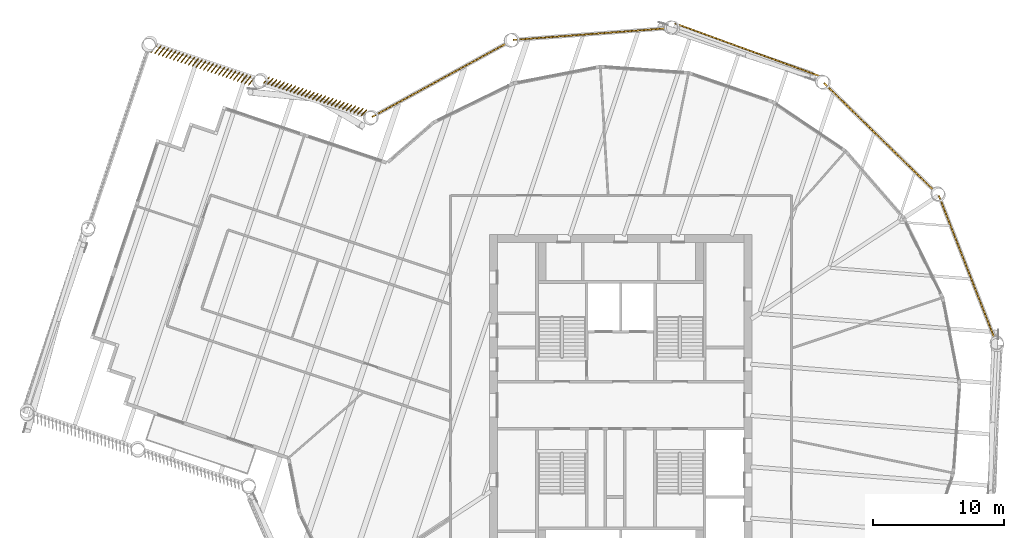
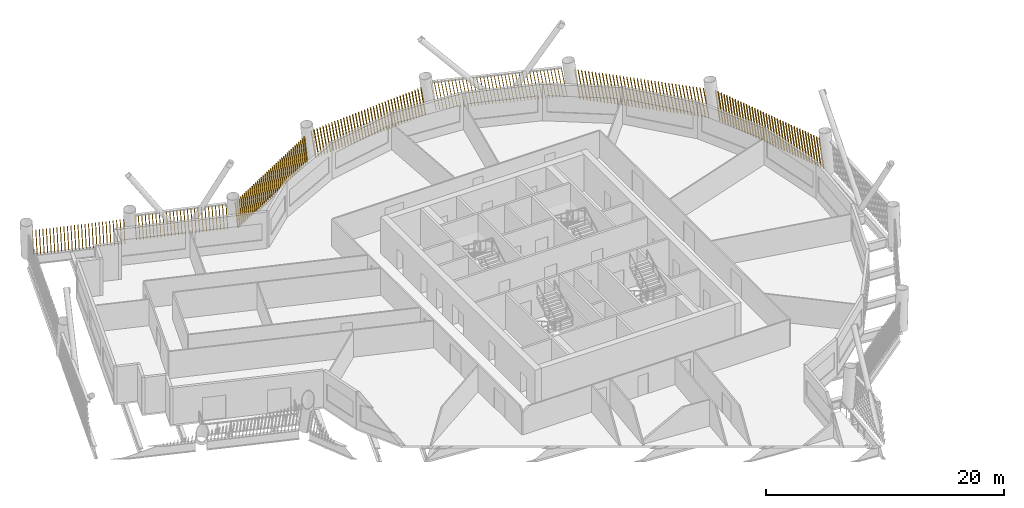
# One storey, part 20 of 21: 7 shading devices.
"""IFC4 building model written with IfcOpenShell, lengths in metres."""

import ifcopenshell
import ifcopenshell.guid

model = None  # the IFC model being written
_history = None  # IfcOwnerHistory: only IFC2X3 demands one
_inside = {}  # id of a spatial element -> (the spatial element, [elements in it])
_under = {}  # id of a project, library or spatial element -> (it, [spatial elements below it])
_declared = {}  # id of a project -> (the project, [libraries it declares])
_typed = {}  # id of a type object -> (the type object, [elements of that type])
_made_of = {}  # id of a material, layer set ... -> (it, [elements and type objects made of it])


def new_model(schema):
    """Start an empty IFC model of exactly this schema.

    Asked for "IFC4X3", IfcOpenShell would pick the latest addendum, in which some entities
    have other attributes; the version numbers below select the first issue.
    IFC2X3 requires an IfcOwnerHistory on every rooted entity: one is made here for all.
    """
    global model, _history
    if schema == "IFC4X3":
        model = ifcopenshell.file(schema_version=(4, 3, 0, 0))
    else:
        model = ifcopenshell.file(schema=schema)
    _inside.clear()
    _under.clear()
    _declared.clear()
    _typed.clear()
    _made_of.clear()
    _history = None
    if model.schema == "IFC2X3":
        org = make("IfcOrganization", Name="unknown")
        user = make(
            "IfcPersonAndOrganization",
            ThePerson=make("IfcPerson", FamilyName="unknown"),
            TheOrganization=org,
        )
        app = make(
            "IfcApplication",
            ApplicationDeveloper=org,
            Version="unknown",
            ApplicationFullName="unknown",
            ApplicationIdentifier="unknown",
        )
        _history = make(
            "IfcOwnerHistory",
            OwningUser=user,
            OwningApplication=app,
            ChangeAction="ADDED",
            CreationDate=0,
        )
    return model


def make(cls, **values):
    """One entity of the class cls with the attributes given. An attribute that is None is left unset."""
    return model.create_entity(
        cls, **{name: value for name, value in values.items() if value is not None}
    )


def rooted(cls, **values):
    """An entity with a GlobalId (a new one), such as an element, a storey or a relation."""
    return make(cls, GlobalId=ifcopenshell.guid.new(), OwnerHistory=_history, **values)


def si_unit(unit_type, name, prefix=None):
    """IfcSIUnit, for example si_unit("LENGTHUNIT", "METRE", prefix="MILLI")."""
    return make("IfcSIUnit", UnitType=unit_type, Prefix=prefix, Name=name)


def assignment(units):
    """IfcUnitAssignment: the units of a project."""
    return None if units is None else make("IfcUnitAssignment", Units=units)


def point(xyz):
    """IfcCartesianPoint."""
    return None if xyz is None else make("IfcCartesianPoint", Coordinates=xyz)


def direction(xyz):
    """IfcDirection."""
    return None if xyz is None else make("IfcDirection", DirectionRatios=xyz)


def frame(location, z_axis=None, x_axis=None):
    """IfcAxis2Placement3D, a coordinate frame: its origin and axes. An axis left out is left unset."""
    return make(
        "IfcAxis2Placement3D",
        Location=point(location),
        Axis=direction(z_axis),
        RefDirection=direction(x_axis),
    )


def frame_2d(location, x_axis=None):
    """IfcAxis2Placement2D, a coordinate frame in the plane: its origin and x axis."""
    return make(
        "IfcAxis2Placement2D", Location=point(location), RefDirection=direction(x_axis)
    )


def origin():
    """The frame at (0, 0, 0) with its axes left unset."""
    return frame((0.0, 0.0, 0.0))


def place(relative_to, where):
    """IfcLocalPlacement: puts the frame where relative to a parent placement (None: the world)."""
    return make(
        "IfcLocalPlacement", PlacementRelTo=relative_to, RelativePlacement=where
    )


def context(
    kind, dimensions, precision=None, world=None, true_north=None, identifier=None
):
    """IfcGeometricRepresentationContext, for example the 3D "Model" context."""
    return make(
        "IfcGeometricRepresentationContext",
        ContextIdentifier=identifier,
        ContextType=kind,
        CoordinateSpaceDimension=dimensions,
        Precision=precision,
        WorldCoordinateSystem=world,
        TrueNorth=true_north,
    )


def subcontext(parent, identifier, kind, view, scale=None):
    """IfcGeometricRepresentationSubContext, for example "Body" below "Model"."""
    return make(
        "IfcGeometricRepresentationSubContext",
        ContextIdentifier=identifier,
        ContextType=kind,
        ParentContext=parent,
        TargetScale=scale,
        TargetView=view,
    )


def project(units=None, contexts=None):
    """IfcProject with its units and contexts."""
    return rooted(
        "IfcProject",
        Name="project",
        RepresentationContexts=contexts,
        UnitsInContext=assignment(units),
    )


def spatial(cls, under=None, at=None, **own):
    """A site, building, storey or space (cls), placed at a placement, below another one or the project."""
    s = rooted(cls, ObjectPlacement=at, **own)
    if under is not None:
        _under.setdefault(under.id(), (under, []))[1].append(s)
    return s


def profile(cls, at=None, kind="AREA", **sizes):
    """A parametric profile (cls). Its sizes go by their IFC names, for example OverallWidth=200.0."""
    return make(cls, ProfileType=kind, Position=at, **sizes)


def rectangle(**sizes):
    """IfcRectangleProfileDef."""
    return profile("IfcRectangleProfileDef", **sizes)


def composite_profile(profiles, kind="AREA"):
    """IfcCompositeProfileDef: several profiles as one."""
    return make("IfcCompositeProfileDef", ProfileType=kind, Profiles=profiles)


def extrude(swept, where, along, depth):
    """IfcExtrudedAreaSolid: the profile swept, set in the frame where, extruded along a direction by depth."""
    return make(
        "IfcExtrudedAreaSolid",
        SweptArea=swept,
        Position=where,
        ExtrudedDirection=direction(along),
        Depth=depth,
    )


def shape(context_of_items, identifier, shape_type, items):
    """IfcShapeRepresentation: the items that make up one representation, for example the "Body"."""
    return make(
        "IfcShapeRepresentation",
        ContextOfItems=context_of_items,
        RepresentationIdentifier=identifier,
        RepresentationType=shape_type,
        Items=items,
    )


def material(Name=None, Category=None):
    """IfcMaterial."""
    return make("IfcMaterial", Name=Name, Category=Category)


def made_of(thing, what):
    """Note that an element or type object is made of a material, layer set ...; save() writes the relation."""
    if what is not None:
        _made_of.setdefault(what.id(), (what, []))[1].append(thing)
    return thing


def type_object(cls, material=None, **own):
    """A type object (cls), such as IfcWallType, which elements share."""
    return made_of(rooted(cls, **own), material)


def element(
    cls,
    number,
    at=None,
    inside=None,
    cuts=None,
    type_object=None,
    material=None,
    context=None,
    identifier="Body",
    shape_type=None,
    held_by="IfcProductDefinitionShape",
    body=None,
    shapes=None,
    **own,
):
    """One element of the class cls, such as IfcWall. Its Tag is "e" and its number.

    at: its placement. inside: the storey or other place that contains it. cuts: it is an
    opening in that element (IfcRelVoidsElement). A single representation is given by context,
    identifier, shape_type and body (its items); several are given by shapes. held_by: the class
    of the entity that holds the representations. save() writes the other relations.
    """
    e = rooted(cls, Tag="e%d" % number, ObjectPlacement=at, **own)
    if body is not None:
        shapes = [shape(context, identifier, shape_type, body)]
    if shapes is not None:
        e.Representation = make(held_by, Representations=shapes)
    if inside is not None:
        _inside.setdefault(inside.id(), (inside, []))[1].append(e)
    if cuts is not None:
        rooted(
            "IfcRelVoidsElement", RelatingBuildingElement=cuts, RelatedOpeningElement=e
        )
    if type_object is not None:
        _typed.setdefault(type_object.id(), (type_object, []))[1].append(e)
    return made_of(e, material)


def aggregate(whole, parts):
    """IfcRelAggregates: a whole, such as a stair, and the parts it consists of."""
    return rooted("IfcRelAggregates", RelatingObject=whole, RelatedObjects=parts)


def save(model, path):
    """Write the relations noted so far, then the file.

    IfcRelAggregates (storeys below a building ...), IfcRelContainedInSpatialStructure (elements
    in a storey), IfcRelDefinesByType, IfcRelAssociatesMaterial and IfcRelDeclares: one each for
    every whole, place, type object, material and project.
    """
    for whole, parts in _under.values():
        aggregate(whole, parts)
    for where, things in _inside.values():
        rooted(
            "IfcRelContainedInSpatialStructure",
            RelatedElements=things,
            RelatingStructure=where,
        )
    for kind, things in _typed.values():
        rooted("IfcRelDefinesByType", RelatedObjects=things, RelatingType=kind)
    for what, things in _made_of.values():
        rooted("IfcRelAssociatesMaterial", RelatedObjects=things, RelatingMaterial=what)
    for by, libraries in _declared.values():
        rooted("IfcRelDeclares", RelatingContext=by, RelatedDefinitions=libraries)
    model.write(path)


model = new_model("IFC4")

# Units and contexts
model_context = context("Model", 3, precision=1e-05, world=origin(), true_north=direction((0.0, 1.0)))
body_context = subcontext(model_context, "Body", "Model", "MODEL_VIEW")
ifc_project = project(units=[si_unit("LENGTHUNIT", "METRE"), si_unit("AREAUNIT", "SQUARE_METRE"), si_unit("VOLUMEUNIT", "CUBIC_METRE"), si_unit("PLANEANGLEUNIT", "RADIAN"), si_unit("MASSUNIT", "GRAM", prefix="KILO")], contexts=[model_context])

# Site, building, storey
site_placement = place(None, origin())
site = spatial("IfcSite", under=ifc_project, at=site_placement, CompositionType="ELEMENT")
building_placement = place(site_placement, origin())
building = spatial("IfcBuilding", under=site, at=building_placement, Name="Tarsis Ring Headquarters", CompositionType="ELEMENT")
storey_placement = place(building_placement, frame((0.0, 0.0, 208.199951171875)))
storey = spatial("IfcBuildingStorey", under=building, at=storey_placement, Name="L48", CompositionType="ELEMENT", Elevation=208.199951171875)

# Shading devices
ifc_material = material(Name="Terracotta baguette", Category="masonry")
shading_device_type = type_object("IfcShadingDeviceType", Name="Terracotta baguette screen", PredefinedType="USERDEFINED", material=ifc_material)
shading_device_1_placement = place(storey_placement, frame((28.498291015625, 5.078857421875, 0.0), z_axis=(0.0, 0.0, 1.0), x_axis=(-0.363407487792, 0.931633206728, 0.0)))
element("IfcShadingDevice", 1, at=shading_device_1_placement, inside=storey, type_object=shading_device_type, Name="Baguette screen L48-10", ObjectType="Terracotta baguette screen", PredefinedType="USERDEFINED", context=body_context, shape_type="SweptSolid", body=[
    extrude(composite_profile([rectangle(XDim=0.06005859375, YDim=0.1201171875, at=frame_2d((0.030029296875, 0.0))), rectangle(XDim=0.06005859375, YDim=0.1201171875, at=frame_2d((0.33251953125, 0.0))), rectangle(XDim=0.06005859375, YDim=0.1201171875, at=frame_2d((0.634765625, 0.0))), rectangle(XDim=0.06005859375, YDim=0.1201171875, at=frame_2d((0.937255859375, 0.0))), rectangle(XDim=0.06005859375, YDim=0.1201171875, at=frame_2d((1.239501953125, 0.0))), rectangle(XDim=0.06005859375, YDim=0.1201171875, at=frame_2d((1.5419921875, 0.0))), rectangle(XDim=0.06005859375, YDim=0.1201171875, at=frame_2d((1.844482421875, 0.0))), rectangle(XDim=0.06005859375, YDim=0.1201171875, at=frame_2d((2.146728515625, 0.0))), rectangle(XDim=0.06005859375, YDim=0.1201171875, at=frame_2d((2.44921875, 0.0))), rectangle(XDim=0.06005859375, YDim=0.1201171875, at=frame_2d((2.751708984375, 0.0))), rectangle(XDim=0.06005859375, YDim=0.1201171875, at=frame_2d((3.053955078125, 0.0))), rectangle(XDim=0.06005859375, YDim=0.1201171875, at=frame_2d((3.3564453125, 0.0))), rectangle(XDim=0.06005859375, YDim=0.1201171875, at=frame_2d((3.65869140625, 0.0))), rectangle(XDim=0.06005859375, YDim=0.1201171875, at=frame_2d((3.961181640625, 0.0))), rectangle(XDim=0.06005859375, YDim=0.1201171875, at=frame_2d((4.263671875, 0.0))), rectangle(XDim=0.06005859375, YDim=0.1201171875, at=frame_2d((4.56591796875, 0.0))), rectangle(XDim=0.06005859375, YDim=0.1201171875, at=frame_2d((4.868408203125, 0.0))), rectangle(XDim=0.06005859375, YDim=0.1201171875, at=frame_2d((5.1708984375, 0.0))), rectangle(XDim=0.06005859375, YDim=0.1201171875, at=frame_2d((5.47314453125, 0.0))), rectangle(XDim=0.06005859375, YDim=0.1201171875, at=frame_2d((5.775634765625, 0.0))), rectangle(XDim=0.06005859375, YDim=0.1201171875, at=frame_2d((6.077880859375, 0.0))), rectangle(XDim=0.06005859375, YDim=0.1201171875, at=frame_2d((6.38037109375, 0.0))), rectangle(XDim=0.06005859375, YDim=0.1201171875, at=frame_2d((6.682861328125, 0.0))), rectangle(XDim=0.06005859375, YDim=0.1201171875, at=frame_2d((6.985107421875, 0.0))), rectangle(XDim=0.06005859375, YDim=0.1201171875, at=frame_2d((7.28759765625, 0.0))), rectangle(XDim=0.06005859375, YDim=0.1201171875, at=frame_2d((7.590087890625, 0.0))), rectangle(XDim=0.06005859375, YDim=0.1201171875, at=frame_2d((7.892333984375, 0.0))), rectangle(XDim=0.06005859375, YDim=0.1201171875, at=frame_2d((8.19482421875, 0.0))), rectangle(XDim=0.06005859375, YDim=0.1201171875, at=frame_2d((8.4970703125, 0.0))), rectangle(XDim=0.06005859375, YDim=0.1201171875, at=frame_2d((8.799560546875, 0.0))), rectangle(XDim=0.06005859375, YDim=0.1201171875, at=frame_2d((9.10205078125, 0.0))), rectangle(XDim=0.06005859375, YDim=0.1201171875, at=frame_2d((9.404296875, 0.0))), rectangle(XDim=0.06005859375, YDim=0.1201171875, at=frame_2d((9.706787109375, 0.0))), rectangle(XDim=0.06005859375, YDim=0.1201171875, at=frame_2d((10.00927734375, 0.0))), rectangle(XDim=0.06005859375, YDim=0.1201171875, at=frame_2d((10.3115234375, 0.0))), rectangle(XDim=0.06005859375, YDim=0.1201171875, at=frame_2d((10.614013671875, 0.0))), rectangle(XDim=0.06005859375, YDim=0.1201171875, at=frame_2d((10.916259765625, 0.0))), rectangle(XDim=0.06005859375, YDim=0.1201171875, at=frame_2d((11.21875, 0.0)))]), origin(), (0.159217016479, 0.001331359414, 0.987242710353), 2.988037109375),
])
shading_device_2_placement = place(storey_placement, frame((23.87109375, 16.3740234375, 0.0), z_axis=(0.0, 0.0, 1.0), x_axis=(-0.71509495388, 0.699034183397, 0.0)))
element("IfcShadingDevice", 2, at=shading_device_2_placement, inside=storey, type_object=shading_device_type, Name="Baguette screen L48-11", ObjectType="Terracotta baguette screen", PredefinedType="USERDEFINED", context=body_context, shape_type="SweptSolid", body=[
    extrude(composite_profile([rectangle(XDim=0.06005859375, YDim=0.1201171875, at=frame_2d((0.030029296875, 0.0))), rectangle(XDim=0.06005859375, YDim=0.1201171875, at=frame_2d((0.33251953125, 0.0))), rectangle(XDim=0.06005859375, YDim=0.1201171875, at=frame_2d((0.634765625, 0.0))), rectangle(XDim=0.06005859375, YDim=0.1201171875, at=frame_2d((0.937255859375, 0.0))), rectangle(XDim=0.06005859375, YDim=0.1201171875, at=frame_2d((1.239501953125, 0.0))), rectangle(XDim=0.06005859375, YDim=0.1201171875, at=frame_2d((1.5419921875, 0.0))), rectangle(XDim=0.06005859375, YDim=0.1201171875, at=frame_2d((1.844482421875, 0.0))), rectangle(XDim=0.06005859375, YDim=0.1201171875, at=frame_2d((2.146728515625, 0.0))), rectangle(XDim=0.06005859375, YDim=0.1201171875, at=frame_2d((2.44921875, 0.0))), rectangle(XDim=0.06005859375, YDim=0.1201171875, at=frame_2d((2.751708984375, 0.0))), rectangle(XDim=0.06005859375, YDim=0.1201171875, at=frame_2d((3.053955078125, 0.0))), rectangle(XDim=0.06005859375, YDim=0.1201171875, at=frame_2d((3.3564453125, 0.0))), rectangle(XDim=0.06005859375, YDim=0.1201171875, at=frame_2d((3.65869140625, 0.0))), rectangle(XDim=0.06005859375, YDim=0.1201171875, at=frame_2d((3.961181640625, 0.0))), rectangle(XDim=0.06005859375, YDim=0.1201171875, at=frame_2d((4.263671875, 0.0))), rectangle(XDim=0.06005859375, YDim=0.1201171875, at=frame_2d((4.56591796875, 0.0))), rectangle(XDim=0.06005859375, YDim=0.1201171875, at=frame_2d((4.868408203125, 0.0))), rectangle(XDim=0.06005859375, YDim=0.1201171875, at=frame_2d((5.1708984375, 0.0))), rectangle(XDim=0.06005859375, YDim=0.1201171875, at=frame_2d((5.47314453125, 0.0))), rectangle(XDim=0.06005859375, YDim=0.1201171875, at=frame_2d((5.775634765625, 0.0))), rectangle(XDim=0.06005859375, YDim=0.1201171875, at=frame_2d((6.077880859375, 0.0))), rectangle(XDim=0.06005859375, YDim=0.1201171875, at=frame_2d((6.38037109375, 0.0))), rectangle(XDim=0.06005859375, YDim=0.1201171875, at=frame_2d((6.682861328125, 0.0))), rectangle(XDim=0.06005859375, YDim=0.1201171875, at=frame_2d((6.985107421875, 0.0))), rectangle(XDim=0.06005859375, YDim=0.1201171875, at=frame_2d((7.28759765625, 0.0))), rectangle(XDim=0.06005859375, YDim=0.1201171875, at=frame_2d((7.590087890625, 0.0))), rectangle(XDim=0.06005859375, YDim=0.1201171875, at=frame_2d((7.892333984375, 0.0))), rectangle(XDim=0.06005859375, YDim=0.1201171875, at=frame_2d((8.19482421875, 0.0))), rectangle(XDim=0.06005859375, YDim=0.1201171875, at=frame_2d((8.4970703125, 0.0))), rectangle(XDim=0.06005859375, YDim=0.1201171875, at=frame_2d((8.799560546875, 0.0))), rectangle(XDim=0.06005859375, YDim=0.1201171875, at=frame_2d((9.10205078125, 0.0))), rectangle(XDim=0.06005859375, YDim=0.1201171875, at=frame_2d((9.404296875, 0.0))), rectangle(XDim=0.06005859375, YDim=0.1201171875, at=frame_2d((9.706787109375, 0.0))), rectangle(XDim=0.06005859375, YDim=0.1201171875, at=frame_2d((10.00927734375, 0.0))), rectangle(XDim=0.06005859375, YDim=0.1201171875, at=frame_2d((10.3115234375, 0.0))), rectangle(XDim=0.06005859375, YDim=0.1201171875, at=frame_2d((10.614013671875, 0.0))), rectangle(XDim=0.06005859375, YDim=0.1201171875, at=frame_2d((10.916259765625, 0.0))), rectangle(XDim=0.06005859375, YDim=0.1201171875, at=frame_2d((11.21875, 0.0)))]), origin(), (0.159217052228, 0.0013355016, 0.987242698993), 2.988037109375),
])
shading_device_3_placement = place(storey_placement, frame((15.128173828125, 25.110107421875, 0.0), z_axis=(0.0, 0.0, 1.0), x_axis=(-0.939643198194, 0.342130393263, 0.0)))
element("IfcShadingDevice", 3, at=shading_device_3_placement, inside=storey, type_object=shading_device_type, Name="Baguette screen L48-12", ObjectType="Terracotta baguette screen", PredefinedType="USERDEFINED", context=body_context, shape_type="SweptSolid", body=[
    extrude(composite_profile([rectangle(XDim=0.06005859375, YDim=0.1201171875, at=frame_2d((0.030029296875, 0.0))), rectangle(XDim=0.06005859375, YDim=0.1201171875, at=frame_2d((0.33251953125, 0.0))), rectangle(XDim=0.06005859375, YDim=0.1201171875, at=frame_2d((0.634765625, 0.0))), rectangle(XDim=0.06005859375, YDim=0.1201171875, at=frame_2d((0.937255859375, 0.0))), rectangle(XDim=0.06005859375, YDim=0.1201171875, at=frame_2d((1.239501953125, 0.0))), rectangle(XDim=0.06005859375, YDim=0.1201171875, at=frame_2d((1.5419921875, 0.0))), rectangle(XDim=0.06005859375, YDim=0.1201171875, at=frame_2d((1.844482421875, 0.0))), rectangle(XDim=0.06005859375, YDim=0.1201171875, at=frame_2d((2.146728515625, 0.0))), rectangle(XDim=0.06005859375, YDim=0.1201171875, at=frame_2d((2.44921875, 0.0))), rectangle(XDim=0.06005859375, YDim=0.1201171875, at=frame_2d((2.751708984375, 0.0))), rectangle(XDim=0.06005859375, YDim=0.1201171875, at=frame_2d((3.053955078125, 0.0))), rectangle(XDim=0.06005859375, YDim=0.1201171875, at=frame_2d((3.3564453125, 0.0))), rectangle(XDim=0.06005859375, YDim=0.1201171875, at=frame_2d((3.65869140625, 0.0))), rectangle(XDim=0.06005859375, YDim=0.1201171875, at=frame_2d((3.961181640625, 0.0))), rectangle(XDim=0.06005859375, YDim=0.1201171875, at=frame_2d((4.263671875, 0.0))), rectangle(XDim=0.06005859375, YDim=0.1201171875, at=frame_2d((4.56591796875, 0.0))), rectangle(XDim=0.06005859375, YDim=0.1201171875, at=frame_2d((4.868408203125, 0.0))), rectangle(XDim=0.06005859375, YDim=0.1201171875, at=frame_2d((5.1708984375, 0.0))), rectangle(XDim=0.06005859375, YDim=0.1201171875, at=frame_2d((5.47314453125, 0.0))), rectangle(XDim=0.06005859375, YDim=0.1201171875, at=frame_2d((5.775634765625, 0.0))), rectangle(XDim=0.06005859375, YDim=0.1201171875, at=frame_2d((6.077880859375, 0.0))), rectangle(XDim=0.06005859375, YDim=0.1201171875, at=frame_2d((6.38037109375, 0.0))), rectangle(XDim=0.06005859375, YDim=0.1201171875, at=frame_2d((6.682861328125, 0.0))), rectangle(XDim=0.06005859375, YDim=0.1201171875, at=frame_2d((6.985107421875, 0.0))), rectangle(XDim=0.06005859375, YDim=0.1201171875, at=frame_2d((7.28759765625, 0.0))), rectangle(XDim=0.06005859375, YDim=0.1201171875, at=frame_2d((7.590087890625, 0.0))), rectangle(XDim=0.06005859375, YDim=0.1201171875, at=frame_2d((7.892333984375, 0.0))), rectangle(XDim=0.06005859375, YDim=0.1201171875, at=frame_2d((8.19482421875, 0.0))), rectangle(XDim=0.06005859375, YDim=0.1201171875, at=frame_2d((8.4970703125, 0.0))), rectangle(XDim=0.06005859375, YDim=0.1201171875, at=frame_2d((8.799560546875, 0.0))), rectangle(XDim=0.06005859375, YDim=0.1201171875, at=frame_2d((9.10205078125, 0.0))), rectangle(XDim=0.06005859375, YDim=0.1201171875, at=frame_2d((9.404296875, 0.0))), rectangle(XDim=0.06005859375, YDim=0.1201171875, at=frame_2d((9.706787109375, 0.0))), rectangle(XDim=0.06005859375, YDim=0.1201171875, at=frame_2d((10.00927734375, 0.0))), rectangle(XDim=0.06005859375, YDim=0.1201171875, at=frame_2d((10.3115234375, 0.0))), rectangle(XDim=0.06005859375, YDim=0.1201171875, at=frame_2d((10.614013671875, 0.0))), rectangle(XDim=0.06005859375, YDim=0.1201171875, at=frame_2d((10.916259765625, 0.0))), rectangle(XDim=0.06005859375, YDim=0.1201171875, at=frame_2d((11.21875, 0.0)))]), origin(), (0.161263303025, 0.001352732411, 0.986910490983), 2.989013671875),
])
shading_device_4_placement = place(storey_placement, frame((3.46142578125, 28.739501953125, 0.0), z_axis=(0.0, 0.0, 1.0), x_axis=(-0.997135167983, -0.075614202622, 0.0)))
element("IfcShadingDevice", 4, at=shading_device_4_placement, inside=storey, type_object=shading_device_type, Name="Baguette screen L48-13", ObjectType="Terracotta baguette screen", PredefinedType="USERDEFINED", context=body_context, shape_type="SweptSolid", body=[
    extrude(composite_profile([rectangle(XDim=0.06005859375, YDim=0.1201171875, at=frame_2d((0.030029296875, 0.0))), rectangle(XDim=0.06005859375, YDim=0.1201171875, at=frame_2d((0.33251953125, 0.0))), rectangle(XDim=0.06005859375, YDim=0.1201171875, at=frame_2d((0.634765625, 0.0))), rectangle(XDim=0.06005859375, YDim=0.1201171875, at=frame_2d((0.937255859375, 0.0))), rectangle(XDim=0.06005859375, YDim=0.1201171875, at=frame_2d((1.239501953125, 0.0))), rectangle(XDim=0.06005859375, YDim=0.1201171875, at=frame_2d((1.5419921875, 0.0))), rectangle(XDim=0.06005859375, YDim=0.1201171875, at=frame_2d((1.844482421875, 0.0))), rectangle(XDim=0.06005859375, YDim=0.1201171875, at=frame_2d((2.146728515625, 0.0))), rectangle(XDim=0.06005859375, YDim=0.1201171875, at=frame_2d((2.44921875, 0.0))), rectangle(XDim=0.06005859375, YDim=0.1201171875, at=frame_2d((2.751708984375, 0.0))), rectangle(XDim=0.06005859375, YDim=0.1201171875, at=frame_2d((3.053955078125, 0.0))), rectangle(XDim=0.06005859375, YDim=0.1201171875, at=frame_2d((3.3564453125, 0.0))), rectangle(XDim=0.06005859375, YDim=0.1201171875, at=frame_2d((3.65869140625, 0.0))), rectangle(XDim=0.06005859375, YDim=0.1201171875, at=frame_2d((3.961181640625, 0.0))), rectangle(XDim=0.06005859375, YDim=0.1201171875, at=frame_2d((4.263671875, 0.0))), rectangle(XDim=0.06005859375, YDim=0.1201171875, at=frame_2d((4.56591796875, 0.0))), rectangle(XDim=0.06005859375, YDim=0.1201171875, at=frame_2d((4.868408203125, 0.0))), rectangle(XDim=0.06005859375, YDim=0.1201171875, at=frame_2d((5.1708984375, 0.0))), rectangle(XDim=0.06005859375, YDim=0.1201171875, at=frame_2d((5.47314453125, 0.0))), rectangle(XDim=0.06005859375, YDim=0.1201171875, at=frame_2d((5.775634765625, 0.0))), rectangle(XDim=0.06005859375, YDim=0.1201171875, at=frame_2d((6.077880859375, 0.0))), rectangle(XDim=0.06005859375, YDim=0.1201171875, at=frame_2d((6.38037109375, 0.0))), rectangle(XDim=0.06005859375, YDim=0.1201171875, at=frame_2d((6.682861328125, 0.0))), rectangle(XDim=0.06005859375, YDim=0.1201171875, at=frame_2d((6.985107421875, 0.0))), rectangle(XDim=0.06005859375, YDim=0.1201171875, at=frame_2d((7.28759765625, 0.0))), rectangle(XDim=0.06005859375, YDim=0.1201171875, at=frame_2d((7.590087890625, 0.0))), rectangle(XDim=0.06005859375, YDim=0.1201171875, at=frame_2d((7.892333984375, 0.0))), rectangle(XDim=0.06005859375, YDim=0.1201171875, at=frame_2d((8.19482421875, 0.0))), rectangle(XDim=0.06005859375, YDim=0.1201171875, at=frame_2d((8.4970703125, 0.0))), rectangle(XDim=0.06005859375, YDim=0.1201171875, at=frame_2d((8.799560546875, 0.0))), rectangle(XDim=0.06005859375, YDim=0.1201171875, at=frame_2d((9.10205078125, 0.0))), rectangle(XDim=0.06005859375, YDim=0.1201171875, at=frame_2d((9.404296875, 0.0))), rectangle(XDim=0.06005859375, YDim=0.1201171875, at=frame_2d((9.706787109375, 0.0))), rectangle(XDim=0.06005859375, YDim=0.1201171875, at=frame_2d((10.00927734375, 0.0))), rectangle(XDim=0.06005859375, YDim=0.1201171875, at=frame_2d((10.3115234375, 0.0))), rectangle(XDim=0.06005859375, YDim=0.1201171875, at=frame_2d((10.614013671875, 0.0))), rectangle(XDim=0.06005859375, YDim=0.1201171875, at=frame_2d((10.916259765625, 0.0))), rectangle(XDim=0.06005859375, YDim=0.1201171875, at=frame_2d((11.21875, 0.0)))]), origin(), (0.159216201605, 0.0013329183, 0.987242839668), 2.988037109375),
])
shading_device_5_placement = place(storey_placement, frame((-8.692626953125, 27.611328125, 0.0), z_axis=(0.0, 0.0, 1.0), x_axis=(-0.877311398559, -0.479902769338, 0.0)))
element("IfcShadingDevice", 5, at=shading_device_5_placement, inside=storey, type_object=shading_device_type, Name="Baguette screen L48-14", ObjectType="Terracotta baguette screen", PredefinedType="USERDEFINED", context=body_context, shape_type="SweptSolid", body=[
    extrude(composite_profile([rectangle(XDim=0.06005859375, YDim=0.1201171875, at=frame_2d((0.030029296875, 0.0))), rectangle(XDim=0.06005859375, YDim=0.1201171875, at=frame_2d((0.33251953125, 0.0))), rectangle(XDim=0.06005859375, YDim=0.1201171875, at=frame_2d((0.634765625, 0.0))), rectangle(XDim=0.06005859375, YDim=0.1201171875, at=frame_2d((0.937255859375, 0.0))), rectangle(XDim=0.06005859375, YDim=0.1201171875, at=frame_2d((1.239501953125, 0.0))), rectangle(XDim=0.06005859375, YDim=0.1201171875, at=frame_2d((1.5419921875, 0.0))), rectangle(XDim=0.06005859375, YDim=0.1201171875, at=frame_2d((1.844482421875, 0.0))), rectangle(XDim=0.06005859375, YDim=0.1201171875, at=frame_2d((2.146728515625, 0.0))), rectangle(XDim=0.06005859375, YDim=0.1201171875, at=frame_2d((2.44921875, 0.0))), rectangle(XDim=0.06005859375, YDim=0.1201171875, at=frame_2d((2.751708984375, 0.0))), rectangle(XDim=0.06005859375, YDim=0.1201171875, at=frame_2d((3.053955078125, 0.0))), rectangle(XDim=0.06005859375, YDim=0.1201171875, at=frame_2d((3.3564453125, 0.0))), rectangle(XDim=0.06005859375, YDim=0.1201171875, at=frame_2d((3.65869140625, 0.0))), rectangle(XDim=0.06005859375, YDim=0.1201171875, at=frame_2d((3.961181640625, 0.0))), rectangle(XDim=0.06005859375, YDim=0.1201171875, at=frame_2d((4.263671875, 0.0))), rectangle(XDim=0.06005859375, YDim=0.1201171875, at=frame_2d((4.56591796875, 0.0))), rectangle(XDim=0.06005859375, YDim=0.1201171875, at=frame_2d((4.868408203125, 0.0))), rectangle(XDim=0.06005859375, YDim=0.1201171875, at=frame_2d((5.1708984375, 0.0))), rectangle(XDim=0.06005859375, YDim=0.1201171875, at=frame_2d((5.47314453125, 0.0))), rectangle(XDim=0.06005859375, YDim=0.1201171875, at=frame_2d((5.775634765625, 0.0))), rectangle(XDim=0.06005859375, YDim=0.1201171875, at=frame_2d((6.077880859375, 0.0))), rectangle(XDim=0.06005859375, YDim=0.1201171875, at=frame_2d((6.38037109375, 0.0))), rectangle(XDim=0.06005859375, YDim=0.1201171875, at=frame_2d((6.682861328125, 0.0))), rectangle(XDim=0.06005859375, YDim=0.1201171875, at=frame_2d((6.985107421875, 0.0))), rectangle(XDim=0.06005859375, YDim=0.1201171875, at=frame_2d((7.28759765625, 0.0))), rectangle(XDim=0.06005859375, YDim=0.1201171875, at=frame_2d((7.590087890625, 0.0))), rectangle(XDim=0.06005859375, YDim=0.1201171875, at=frame_2d((7.892333984375, 0.0))), rectangle(XDim=0.06005859375, YDim=0.1201171875, at=frame_2d((8.19482421875, 0.0))), rectangle(XDim=0.06005859375, YDim=0.1201171875, at=frame_2d((8.4970703125, 0.0))), rectangle(XDim=0.06005859375, YDim=0.1201171875, at=frame_2d((8.799560546875, 0.0))), rectangle(XDim=0.06005859375, YDim=0.1201171875, at=frame_2d((9.10205078125, 0.0))), rectangle(XDim=0.06005859375, YDim=0.1201171875, at=frame_2d((9.404296875, 0.0))), rectangle(XDim=0.06005859375, YDim=0.1201171875, at=frame_2d((9.706787109375, 0.0))), rectangle(XDim=0.06005859375, YDim=0.1201171875, at=frame_2d((10.00927734375, 0.0))), rectangle(XDim=0.06005859375, YDim=0.1201171875, at=frame_2d((10.3115234375, 0.0))), rectangle(XDim=0.06005859375, YDim=0.1201171875, at=frame_2d((10.614013671875, 0.0))), rectangle(XDim=0.06005859375, YDim=0.1201171875, at=frame_2d((10.916259765625, 0.0))), rectangle(XDim=0.06005859375, YDim=0.1201171875, at=frame_2d((11.21875, 0.0)))]), origin(), (0.159215101606, 0.00133248381, 0.987243017654), 2.988037109375),
])
shading_device_6_placement = place(storey_placement, frame((-19.35498046875, 22.4873046875, 0.0), z_axis=(0.0, 0.0, 1.0), x_axis=(-0.948220464656, 0.317659416708, 0.0)))
element("IfcShadingDevice", 6, at=shading_device_6_placement, inside=storey, type_object=shading_device_type, Name="Baguette screen L48-15", ObjectType="Terracotta baguette screen", PredefinedType="USERDEFINED", context=body_context, shape_type="SweptSolid", body=[
    extrude(composite_profile([rectangle(XDim=0.06005859375, YDim=0.1201171875, at=frame_2d((0.030029296875, 0.0))), rectangle(XDim=0.06005859375, YDim=0.1201171875, at=frame_2d((0.33154296875, 0.0))), rectangle(XDim=0.06005859375, YDim=0.1201171875, at=frame_2d((0.63330078125, 0.0))), rectangle(XDim=0.06005859375, YDim=0.1201171875, at=frame_2d((0.934814453125, 0.0))), rectangle(XDim=0.06005859375, YDim=0.1201171875, at=frame_2d((1.236572265625, 0.0))), rectangle(XDim=0.06005859375, YDim=0.1201171875, at=frame_2d((1.5380859375, 0.0))), rectangle(XDim=0.06005859375, YDim=0.1201171875, at=frame_2d((1.83984375, 0.0))), rectangle(XDim=0.06005859375, YDim=0.1201171875, at=frame_2d((2.141357421875, 0.0))), rectangle(XDim=0.06005859375, YDim=0.1201171875, at=frame_2d((2.443115234375, 0.0))), rectangle(XDim=0.06005859375, YDim=0.1201171875, at=frame_2d((2.74462890625, 0.0))), rectangle(XDim=0.06005859375, YDim=0.1201171875, at=frame_2d((3.04638671875, 0.0))), rectangle(XDim=0.06005859375, YDim=0.1201171875, at=frame_2d((3.347900390625, 0.0))), rectangle(XDim=0.06005859375, YDim=0.1201171875, at=frame_2d((3.649658203125, 0.0))), rectangle(XDim=0.06005859375, YDim=0.1201171875, at=frame_2d((3.951171875, 0.0))), rectangle(XDim=0.06005859375, YDim=0.1201171875, at=frame_2d((4.252685546875, 0.0))), rectangle(XDim=0.06005859375, YDim=0.1201171875, at=frame_2d((4.554443359375, 0.0))), rectangle(XDim=0.06005859375, YDim=0.1201171875, at=frame_2d((4.85595703125, 0.0))), rectangle(XDim=0.06005859375, YDim=0.1201171875, at=frame_2d((5.15771484375, 0.0))), rectangle(XDim=0.06005859375, YDim=0.1201171875, at=frame_2d((5.459228515625, 0.0))), rectangle(XDim=0.06005859375, YDim=0.1201171875, at=frame_2d((5.760986328125, 0.0))), rectangle(XDim=0.06005859375, YDim=0.1201171875, at=frame_2d((6.0625, 0.0))), rectangle(XDim=0.06005859375, YDim=0.1201171875, at=frame_2d((6.3642578125, 0.0))), rectangle(XDim=0.06005859375, YDim=0.1201171875, at=frame_2d((6.665771484375, 0.0))), rectangle(XDim=0.06005859375, YDim=0.1201171875, at=frame_2d((6.967529296875, 0.0))), rectangle(XDim=0.06005859375, YDim=0.1201171875, at=frame_2d((7.26904296875, 0.0))), rectangle(XDim=0.06005859375, YDim=0.1201171875, at=frame_2d((7.57080078125, 0.0))), rectangle(XDim=0.06005859375, YDim=0.1201171875, at=frame_2d((7.872314453125, 0.0)))]), origin(), (0.083321742966, 0.165073209721, 0.98275547446), 3.001708984375),
])
shading_device_7_placement = place(storey_placement, frame((-27.915283203125, 24.95947265625, 0.0), z_axis=(0.0, 0.0, 1.0), x_axis=(-0.948220464656, 0.317628521997, 0.0)))
element("IfcShadingDevice", 7, at=shading_device_7_placement, inside=storey, type_object=shading_device_type, Name="Baguette screen L48-16", ObjectType="Terracotta baguette screen", PredefinedType="USERDEFINED", context=body_context, shape_type="SweptSolid", body=[
    extrude(composite_profile([rectangle(XDim=0.06005859375, YDim=0.1201171875, at=frame_2d((0.030029296875, 0.0))), rectangle(XDim=0.06005859375, YDim=0.1201171875, at=frame_2d((0.33154296875, 0.0))), rectangle(XDim=0.06005859375, YDim=0.1201171875, at=frame_2d((0.63330078125, 0.0))), rectangle(XDim=0.06005859375, YDim=0.1201171875, at=frame_2d((0.934814453125, 0.0))), rectangle(XDim=0.06005859375, YDim=0.1201171875, at=frame_2d((1.236572265625, 0.0))), rectangle(XDim=0.06005859375, YDim=0.1201171875, at=frame_2d((1.5380859375, 0.0))), rectangle(XDim=0.06005859375, YDim=0.1201171875, at=frame_2d((1.83984375, 0.0))), rectangle(XDim=0.06005859375, YDim=0.1201171875, at=frame_2d((2.141357421875, 0.0))), rectangle(XDim=0.06005859375, YDim=0.1201171875, at=frame_2d((2.443115234375, 0.0))), rectangle(XDim=0.06005859375, YDim=0.1201171875, at=frame_2d((2.74462890625, 0.0))), rectangle(XDim=0.06005859375, YDim=0.1201171875, at=frame_2d((3.04638671875, 0.0))), rectangle(XDim=0.06005859375, YDim=0.1201171875, at=frame_2d((3.347900390625, 0.0))), rectangle(XDim=0.06005859375, YDim=0.1201171875, at=frame_2d((3.649658203125, 0.0))), rectangle(XDim=0.06005859375, YDim=0.1201171875, at=frame_2d((3.951171875, 0.0))), rectangle(XDim=0.06005859375, YDim=0.1201171875, at=frame_2d((4.252685546875, 0.0))), rectangle(XDim=0.06005859375, YDim=0.1201171875, at=frame_2d((4.554443359375, 0.0))), rectangle(XDim=0.06005859375, YDim=0.1201171875, at=frame_2d((4.85595703125, 0.0))), rectangle(XDim=0.06005859375, YDim=0.1201171875, at=frame_2d((5.15771484375, 0.0))), rectangle(XDim=0.06005859375, YDim=0.1201171875, at=frame_2d((5.459228515625, 0.0))), rectangle(XDim=0.06005859375, YDim=0.1201171875, at=frame_2d((5.760986328125, 0.0))), rectangle(XDim=0.06005859375, YDim=0.1201171875, at=frame_2d((6.0625, 0.0))), rectangle(XDim=0.06005859375, YDim=0.1201171875, at=frame_2d((6.3642578125, 0.0))), rectangle(XDim=0.06005859375, YDim=0.1201171875, at=frame_2d((6.665771484375, 0.0))), rectangle(XDim=0.06005859375, YDim=0.1201171875, at=frame_2d((6.967529296875, 0.0))), rectangle(XDim=0.06005859375, YDim=0.1201171875, at=frame_2d((7.26904296875, 0.0))), rectangle(XDim=0.06005859375, YDim=0.1201171875, at=frame_2d((7.57080078125, 0.0))), rectangle(XDim=0.06005859375, YDim=0.1201171875, at=frame_2d((7.872314453125, 0.0)))]), origin(), (0.080081091818, 0.212786252246, 0.973811598611), 3.029296875),
])

save(model, "model.ifc")
